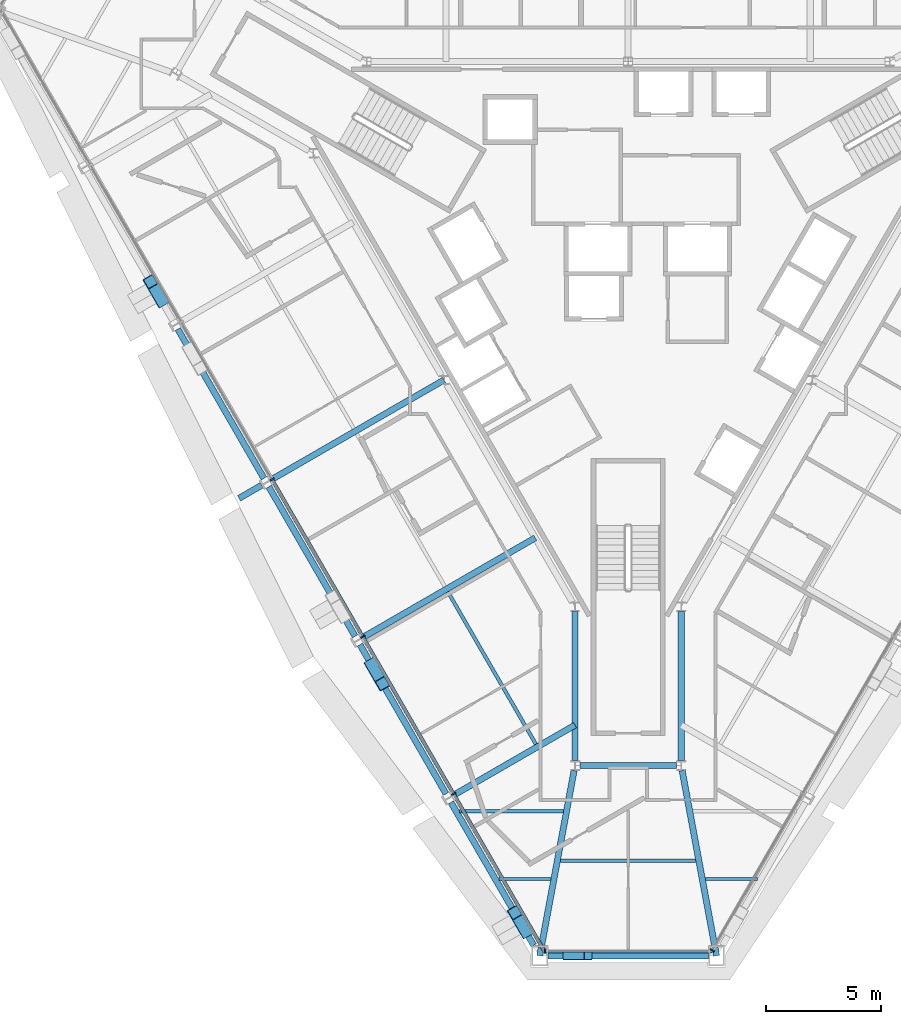
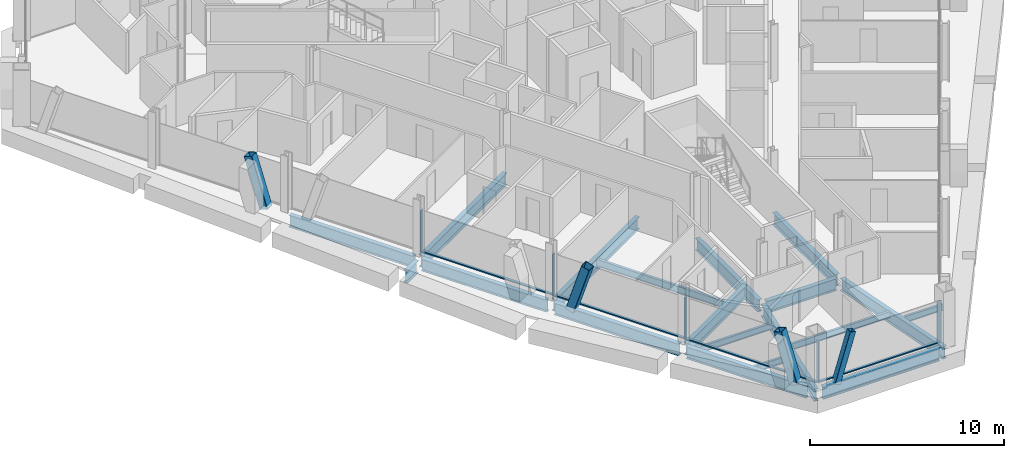
# One storey, part 3 of 17: 19 beams, 13 members, 3 elements without a shape of their own.
"""IFC4 building model written with IfcOpenShell, lengths in metres."""

from ifc_helpers import new_model, si_unit, direction, frame, origin, origin_2d, place, context, subcontext, project, spatial, rectangle, hollow_rectangle, i_section, extrude, material, material_profile, profile_set, type_object, element, aggregate, save


model = new_model("IFC4")

# Units and contexts
model_context = context("Model", 3, precision=1e-05, world=origin(), true_north=direction((0.0, 1.0)))
body_context = subcontext(model_context, "Body", "Model", "MODEL_VIEW")
ifc_project = project(units=[si_unit("LENGTHUNIT", "METRE"), si_unit("AREAUNIT", "SQUARE_METRE"), si_unit("VOLUMEUNIT", "CUBIC_METRE"), si_unit("PLANEANGLEUNIT", "RADIAN"), si_unit("MASSUNIT", "GRAM", prefix="KILO")], contexts=[model_context])

# Site, building, storey
site_placement = place(None, origin())
site = spatial("IfcSite", under=ifc_project, at=site_placement, CompositionType="ELEMENT")
building_placement = place(site_placement, origin())
building = spatial("IfcBuilding", under=site, at=building_placement, Name="Verrane Prism Tower", CompositionType="ELEMENT")
storey_placement = place(building_placement, frame((0.0, 0.0, 96.39990234375)))
storey = spatial("IfcBuildingStorey", under=building, at=storey_placement, Name="L22", CompositionType="ELEMENT", Elevation=96.39990234375)

# Member
ifc_material_1 = material(Name="Steel A500 Grade C", Category="steel")
ifc_material_profile_1 = material_profile(ifc_material_1, hollow_rectangle(XDim=0.355712890625, YDim=0.355712890625, WallThickness=0.0126953125, InnerFilletRadius=0.00634765625, OuterFilletRadius=0.01904296875, at=origin_2d()), Name="HSS14x14x1/2")
ifc_profile_set_1 = profile_set([ifc_material_profile_1], Name="Steel A500 Grade C")
member_type_1 = type_object("IfcMemberType", Name="Chamfer brace HSS14x14x1/2", PredefinedType="BRACE", material=ifc_profile_set_1)
member_1_placement = place(storey_placement, frame((-2.64501953125, -29.5400390625, -0.2451171875), z_axis=(0.290821139623, 0.0, 0.956777437416), x_axis=(0.0, 1.0, 0.0)))
element("IfcMember", 1, at=member_1_placement, inside=storey, type_object=member_type_1, Name="Chamfer brace S0 L22", PredefinedType="BRACE", context=body_context, shape_type="SweptSolid", body=[
    extrude(hollow_rectangle(XDim=0.355712890625, YDim=0.355712890625, WallThickness=0.0126953125, InnerFilletRadius=0.00634765625, OuterFilletRadius=0.01904296875, at=origin_2d()), origin(), (0.0, 0.0, 1.0), 3.138916015625),
])

# Beams
ifc_material_2 = material(Name="Steel A992", Category="steel")
ifc_material_profile_2 = material_profile(ifc_material_2, i_section(OverallWidth=0.2666015625, OverallDepth=0.76708984375, WebThickness=0.014892578125, FlangeThickness=0.023681640625, FilletRadius=0.0166015625, at=origin_2d()), Name="W30x124")
ifc_profile_set_2 = profile_set([ifc_material_profile_2], Name="Steel A992")
beam_type_1 = type_object("IfcBeamType", Name="Chamfer spandrel beam W30x124", PredefinedType="SPANDREL", material=ifc_profile_set_2)
beam_1_placement = place(storey_placement, frame((-3.47998046875, -29.5400390625, -0.54345703125), z_axis=(1.0, 0.0, 0.0), x_axis=(0.0, 1.0, 0.0)))
element("IfcBeam", 2, at=beam_1_placement, inside=storey, type_object=beam_type_1, Name="Chamfer spandrel beam L22", PredefinedType="SPANDREL", context=body_context, shape_type="SweptSolid", body=[
    extrude(i_section(OverallWidth=0.2666015625, OverallDepth=0.76708984375, WebThickness=0.014892578125, FlangeThickness=0.023681640625, FilletRadius=0.0166015625, at=origin_2d()), origin(), (0.0, 0.0, 1.0), 6.9599609375),
])
ifc_material_3 = material(Name="Steel A992", Category="steel")
ifc_material_profile_3 = material_profile(ifc_material_3, i_section(OverallWidth=0.2666015625, OverallDepth=0.7568359375, WebThickness=0.013916015625, FlangeThickness=0.019287109375, FilletRadius=0.0166015625, at=origin_2d()), Name="W30x108")
ifc_profile_set_3 = profile_set([ifc_material_profile_3], Name="Steel A992")
beam_type_2 = type_object("IfcBeamType", Name="Core ring girder W30x108", PredefinedType="BEAM", material=ifc_profile_set_3)
beam_2_placement = place(storey_placement, frame((-2.300048828125, -14.619384765625, -0.62841796875), z_axis=(0.0, -1.0, 0.0), x_axis=(1.0, 0.0, 0.0)))
element("IfcBeam", 3, at=beam_2_placement, inside=storey, type_object=beam_type_2, Name="Core ring girder L22", PredefinedType="BEAM", context=body_context, shape_type="SweptSolid", body=[
    extrude(i_section(OverallWidth=0.2666015625, OverallDepth=0.7568359375, WebThickness=0.013916015625, FlangeThickness=0.019287109375, FilletRadius=0.0166015625, at=origin_2d()), origin(), (0.0, 0.0, 1.0), 6.46337890625),
])
beam_3_placement = place(storey_placement, frame((-2.09423828125, -21.300048828125, -0.62841796875), z_axis=(1.0, 0.0, 0.0), x_axis=(0.0, 1.0, 0.0)))
element("IfcBeam", 4, at=beam_3_placement, inside=storey, type_object=beam_type_2, Name="Core ring girder L22", PredefinedType="BEAM", context=body_context, shape_type="SweptSolid", body=[
    extrude(i_section(OverallWidth=0.2666015625, OverallDepth=0.7568359375, WebThickness=0.013916015625, FlangeThickness=0.019287109375, FilletRadius=0.0166015625, at=origin_2d()), origin(), (0.0, 0.0, 1.0), 4.1884765625),
])
beam_4_placement = place(storey_placement, frame((2.300048828125, -21.082763671875, -0.62841796875), z_axis=(0.0, 1.0, 0.0), x_axis=(-1.0, 0.0, 0.0)))
element("IfcBeam", 5, at=beam_4_placement, inside=storey, type_object=beam_type_2, Name="Core ring girder L22", PredefinedType="BEAM", context=body_context, shape_type="SweptSolid", body=[
    extrude(i_section(OverallWidth=0.2666015625, OverallDepth=0.7568359375, WebThickness=0.013916015625, FlangeThickness=0.019287109375, FilletRadius=0.0166015625, at=origin_2d()), origin(), (0.0, 0.0, 1.0), 6.46337890625),
])
ifc_material_4 = material(Name="Steel A992", Category="steel")
ifc_material_profile_4 = material_profile(ifc_material_4, i_section(OverallWidth=0.2666015625, OverallDepth=0.76708984375, WebThickness=0.014892578125, FlangeThickness=0.023681640625, FilletRadius=0.0166015625, at=origin_2d()), Name="W30x124")
ifc_profile_set_4 = profile_set([ifc_material_profile_4], Name="Steel A992")
beam_type_3 = type_object("IfcBeamType", Name="Corner girder W30x124", PredefinedType="BEAM", material=ifc_profile_set_4)
for number, where, z_axis, x_axis, name in (
    (6, (-3.82958984375, -29.53759765625, -0.603515625), (0.182560783817, 0.983194568848, 0.0), (-0.983194568848, 0.182560783817, 0.0), "Corner girder L22"),
    (7, (3.82958984375, -29.53759765625, -0.603515625), (-0.182560783817, 0.983194568848, 0.0), (-0.983194568848, -0.182560783817, 0.0), "Corner girder L22"),
):
    element("IfcBeam", number, at=place(storey_placement, frame(where, z_axis=z_axis, x_axis=x_axis)), inside=storey, type_object=beam_type_3, Name=name, PredefinedType="BEAM", context=body_context, shape_type="SweptSolid", body=[
        extrude(i_section(OverallWidth=0.2666015625, OverallDepth=0.76708984375, WebThickness=0.014892578125, FlangeThickness=0.023681640625, FilletRadius=0.0166015625, at=origin_2d()), origin(), (0.0, 0.0, 1.0), 8.15771484375),
    ])

# Members
ifc_material_5 = material(Name="Steel A1085 Grade A", Category="steel")
ifc_material_profile_5 = material_profile(ifc_material_5, hollow_rectangle(XDim=0.508056640625, YDim=0.508056640625, WallThickness=0.025390625, InnerFilletRadius=0.0126953125, OuterFilletRadius=0.0380859375, at=origin_2d()), Name="HSS20x20x1")
ifc_profile_set_5 = profile_set([ifc_material_profile_5], Name="Steel A1085 Grade A")
member_type_2 = type_object("IfcMemberType", Name="Facade brace HSS20x20x1", PredefinedType="BRACE", material=ifc_profile_set_5)
for number, where, z_axis, x_axis, name in (
    (8, (-20.218994140625, -1.154052734375, -0.242431640625), (-0.149263603015, 0.258635791628, 0.954373042423), (-0.866112163679, -0.499849697337, 0.0), "Facade brace SW1 L22"),
    (9, (-11.11083984375, -16.935791015625, -0.242431640625), (0.149184879194, -0.258711057377, 0.954364951479), (0.866289199486, 0.499542813835, 0.0), "Facade brace SW4 L22"),
):
    element("IfcMember", number, at=place(storey_placement, frame(where, z_axis=z_axis, x_axis=x_axis)), inside=storey, type_object=member_type_2, Name=name, PredefinedType="BRACE", context=body_context, shape_type="SweptSolid", body=[
        extrude(hollow_rectangle(XDim=0.508056640625, YDim=0.508056640625, WallThickness=0.025390625, InnerFilletRadius=0.0126953125, OuterFilletRadius=0.0380859375, at=origin_2d()), origin(), (0.0, 0.0, 1.0), 3.15185546875),
    ])
member_2_placement = place(storey_placement, frame((-4.440673828125, -28.484130859375, -0.242431640625), z_axis=(-0.149563518732, 0.258696091437, 0.954309743291), x_axis=(-0.865727811525, -0.500515091034, 0.0)))
element("IfcMember", 10, at=member_2_placement, inside=storey, type_object=member_type_2, Name="Facade brace SW5 L22", PredefinedType="BRACE", context=body_context, shape_type="SweptSolid", body=[
    extrude(hollow_rectangle(XDim=0.508056640625, YDim=0.508056640625, WallThickness=0.025390625, InnerFilletRadius=0.0126953125, OuterFilletRadius=0.0380859375, at=origin_2d()), origin(), (0.0, 0.0, 1.0), 3.152099609375),
])

# Beams
ifc_material_6 = material(Name="Steel A992", Category="steel")
ifc_material_profile_6 = material_profile(ifc_material_6, i_section(OverallWidth=0.140380859375, OverallDepth=0.40380859375, WebThickness=0.007080078125, FlangeThickness=0.01123046875, FilletRadius=0.01025390625, at=origin_2d()), Name="W16x31")
ifc_profile_set_6 = profile_set([ifc_material_profile_6], Name="Steel A992")
beam_type_4 = type_object("IfcBeamType", Name="Floor beam W16x31", PredefinedType="BEAM", material=ifc_profile_set_6)
beam_5_placement = place(storey_placement, frame((-5.6015625, -26.2099609375, -0.36181640625), z_axis=(1.0, 0.0, 0.0), x_axis=(0.0, 1.0, 0.0)))
element("IfcBeam", 11, at=beam_5_placement, inside=storey, type_object=beam_type_4, Name="Floor beam L22", PredefinedType="BEAM", context=body_context, shape_type="SweptSolid", body=[
    extrude(i_section(OverallWidth=0.140380859375, OverallDepth=0.40380859375, WebThickness=0.007080078125, FlangeThickness=0.01123046875, FilletRadius=0.01025390625, at=origin_2d()), origin(), (0.0, 0.0, 1.0), 2.254150390625),
])
beam_6_placement = place(storey_placement, frame((-7.296142578125, -23.280029296875, -0.36181640625), z_axis=(1.0, 0.0, 0.0), x_axis=(0.0, 1.0, 0.0)))
element("IfcBeam", 12, at=beam_6_placement, inside=storey, type_object=beam_type_4, Name="Floor beam L22", PredefinedType="BEAM", context=body_context, shape_type="SweptSolid", body=[
    extrude(i_section(OverallWidth=0.140380859375, OverallDepth=0.40380859375, WebThickness=0.007080078125, FlangeThickness=0.01123046875, FilletRadius=0.01025390625, at=origin_2d()), origin(), (0.0, 0.0, 1.0), 4.49267578125),
])
beam_7_placement = place(storey_placement, frame((3.347412109375, -26.2099609375, -0.36181640625), z_axis=(1.0, 0.0, 0.0), x_axis=(0.0, 1.0, 0.0)))
element("IfcBeam", 13, at=beam_7_placement, inside=storey, type_object=beam_type_4, Name="Floor beam L22", PredefinedType="BEAM", context=body_context, shape_type="SweptSolid", body=[
    extrude(i_section(OverallWidth=0.140380859375, OverallDepth=0.40380859375, WebThickness=0.007080078125, FlangeThickness=0.01123046875, FilletRadius=0.01025390625, at=origin_2d()), origin(), (0.0, 0.0, 1.0), 2.254150390625),
])
beam_8_placement = place(storey_placement, frame((-2.92919921875, -25.419921875, -0.36181640625), z_axis=(1.0, 0.0, 0.0), x_axis=(0.0, 1.0, 0.0)))
element("IfcBeam", 14, at=beam_8_placement, inside=storey, type_object=beam_type_4, Name="Floor beam L22", PredefinedType="BEAM", context=body_context, shape_type="SweptSolid", body=[
    extrude(i_section(OverallWidth=0.140380859375, OverallDepth=0.40380859375, WebThickness=0.007080078125, FlangeThickness=0.01123046875, FilletRadius=0.01025390625, at=origin_2d()), origin(), (0.0, 0.0, 1.0), 5.8583984375),
])
ifc_material_7 = material(Name="Steel A992", Category="steel")
ifc_material_profile_7 = material_profile(ifc_material_7, i_section(OverallWidth=0.15234375, OverallDepth=0.449462890625, WebThickness=0.007568359375, FlangeThickness=0.0107421875, FilletRadius=0.01025390625, at=origin_2d()), Name="W18x35")
ifc_profile_set_7 = profile_set([ifc_material_profile_7], Name="Steel A992")
beam_type_5 = type_object("IfcBeamType", Name="Floor beam W18x35", PredefinedType="BEAM", material=ifc_profile_set_7)
beam_9_placement = place(storey_placement, frame((-3.99560546875, -20.37353515625, -0.384765625), z_axis=(-0.499996178778, 0.866027609957, 0.0), x_axis=(-0.866027609957, -0.499996178778, 0.0)))
element("IfcBeam", 15, at=beam_9_placement, inside=storey, type_object=beam_type_5, Name="Floor beam L22", PredefinedType="BEAM", context=body_context, shape_type="SweptSolid", body=[
    extrude(i_section(OverallWidth=0.15234375, OverallDepth=0.449462890625, WebThickness=0.007568359375, FlangeThickness=0.0107421875, FilletRadius=0.01025390625, at=origin_2d()), origin(), (0.0, 0.0, 1.0), 7.61767578125),
])

# Curtain wall, members
ifc_material_8 = material(Name="Aluminium framed insulated glazing", Category="aluminium")
curtain_wall_type = type_object("IfcCurtainWallType", Name="Curtain wall CW-A 8400 module", PredefinedType="NOTDEFINED", material=ifc_material_8)
curtain_wall_1_placement = place(storey_placement, origin())
curtain_wall_1 = element("IfcCurtainWall", 16, at=curtain_wall_1_placement, inside=storey, type_object=curtain_wall_type, Name="Glazed curtain wall south-west face L22", PredefinedType="NOTDEFINED")
ifc_material_9 = material(Name="Aluminium alloy 6063-T6", Category="aluminium")
ifc_material_profile_8 = material_profile(ifc_material_9, rectangle(XDim=0.199951171875, YDim=0.070068359375, at=origin_2d()), Name="Mullion 70x200 aluminium")
ifc_profile_set_8 = profile_set([ifc_material_profile_8], Name="Aluminium alloy 6063-T6")
member_type_3 = type_object("IfcMemberType", Name="Mullion 70x200 aluminium", PredefinedType="MULLION", material=ifc_profile_set_8)
member_3_placement = place(storey_placement, frame((-15.4248046875, -8.905517578125, 0.0), z_axis=(0.0, 0.0, 1.0), x_axis=(0.866025621383, 0.499999623108, 0.0)))
member_3 = element("IfcMember", 17, at=member_3_placement, type_object=member_type_3, Name="CW21.4 mullion 4", PredefinedType="MULLION", context=body_context, shape_type="SweptSolid", body=[
    extrude(rectangle(XDim=0.199951171875, YDim=0.070068359375, at=origin_2d()), origin(), (0.0, 0.0, 1.0), 2.613037109375),
])
member_4_placement = place(storey_placement, frame((-11.4931640625, -15.71533203125, 0.0), z_axis=(0.0, 0.0, 1.0), x_axis=(0.866025621383, 0.499999623108, 0.0)))
member_4 = element("IfcMember", 18, at=member_4_placement, type_object=member_type_3, Name="CW21.4 mullion 5", PredefinedType="MULLION", context=body_context, shape_type="SweptSolid", body=[
    extrude(rectangle(XDim=0.199951171875, YDim=0.070068359375, at=origin_2d()), origin(), (0.0, 0.0, 1.0), 2.613037109375),
])
member_5_placement = place(storey_placement, frame((-7.5615234375, -22.525146484375, 0.0), z_axis=(0.0, 0.0, 1.0), x_axis=(0.866025621383, 0.499999623108, 0.0)))
member_5 = element("IfcMember", 19, at=member_5_placement, type_object=member_type_3, Name="CW21.4 mullion 6", PredefinedType="MULLION", context=body_context, shape_type="SweptSolid", body=[
    extrude(rectangle(XDim=0.199951171875, YDim=0.070068359375, at=origin_2d()), origin(), (0.0, 0.0, 1.0), 2.613037109375),
])

# Curtain wall, member
curtain_wall_2_placement = place(storey_placement, origin())
curtain_wall_2 = element("IfcCurtainWall", 20, at=curtain_wall_2_placement, inside=storey, type_object=curtain_wall_type, Name="Glazed curtain wall south corner L22", PredefinedType="NOTDEFINED")
member_6_placement = place(storey_placement, frame((-3.594970703125, -29.334716796875, 0.0), z_axis=(0.0, 0.0, 1.0), x_axis=(0.0, 1.0, 0.0)))
member_6 = element("IfcMember", 21, at=member_6_placement, type_object=member_type_3, Name="CW21.5 mullion 1", PredefinedType="MULLION", context=body_context, shape_type="SweptSolid", body=[
    extrude(rectangle(XDim=0.199951171875, YDim=0.070068359375, at=origin_2d()), origin(), (0.0, 0.0, 1.0), 2.613037109375),
])

curtain_wall_3_placement = place(storey_placement, origin())
curtain_wall_3 = element("IfcCurtainWall", 22, at=curtain_wall_3_placement, inside=storey, type_object=curtain_wall_type, Name="Glazed curtain wall south-east face L22", PredefinedType="NOTDEFINED")
member_7_placement = place(storey_placement, frame((3.6474609375, -29.304443359375, 0.0), z_axis=(0.0, 0.0, 1.0), x_axis=(-0.866025621383, 0.499999623108, 0.0)))
member_7 = element("IfcMember", 23, at=member_7_placement, type_object=member_type_3, Name="CW21.6 mullion 1", PredefinedType="MULLION", context=body_context, shape_type="SweptSolid", body=[
    extrude(rectangle(XDim=0.199951171875, YDim=0.070068359375, at=origin_2d()), origin(), (0.0, 0.0, 1.0), 2.613037109375),
])
aggregate(curtain_wall_3, [member_7])

# Beams
ifc_material_10 = material(Name="Steel A992", Category="steel")
ifc_material_profile_9 = material_profile(ifc_material_10, i_section(OverallWidth=0.2666015625, OverallDepth=0.76708984375, WebThickness=0.014892578125, FlangeThickness=0.023681640625, FilletRadius=0.0166015625, at=origin_2d()), Name="W30x124")
ifc_profile_set_9 = profile_set([ifc_material_profile_9], Name="Steel A992")
beam_type_6 = type_object("IfcBeamType", Name="Radial girder W30x124", PredefinedType="BEAM", material=ifc_profile_set_9)
beam_10_placement = place(storey_placement, frame((-15.46435546875, -8.92138671875, -0.603515625), z_axis=(0.866014988611, 0.500018039176, 0.0), x_axis=(-0.500018039176, 0.866014988611, 0.0)))
element("IfcBeam", 24, at=beam_10_placement, inside=storey, type_object=beam_type_6, Name="Radial girder L22", PredefinedType="BEAM", context=body_context, shape_type="SweptSolid", body=[
    extrude(i_section(OverallWidth=0.2666015625, OverallDepth=0.76708984375, WebThickness=0.014892578125, FlangeThickness=0.023681640625, FilletRadius=0.0166015625, at=origin_2d()), origin(), (0.0, 0.0, 1.0), 8.651123046875),
])
beam_11_placement = place(storey_placement, frame((-11.514404296875, -15.76123046875, -0.603515625), z_axis=(0.866025318361, 0.500000147958, 0.0), x_axis=(-0.500000147958, 0.866025318361, 0.0)))
element("IfcBeam", 25, at=beam_11_placement, inside=storey, type_object=beam_type_6, Name="Radial girder L22", PredefinedType="BEAM", context=body_context, shape_type="SweptSolid", body=[
    extrude(i_section(OverallWidth=0.2666015625, OverallDepth=0.76708984375, WebThickness=0.014892578125, FlangeThickness=0.023681640625, FilletRadius=0.0166015625, at=origin_2d()), origin(), (0.0, 0.0, 1.0), 8.650390625),
])
beam_12_placement = place(storey_placement, frame((-7.57421875, -22.59130859375, -0.603515625), z_axis=(0.866016687335, 0.50001509703, 0.0), x_axis=(-0.50001509703, 0.866016687335, 0.0)))
element("IfcBeam", 26, at=beam_12_placement, inside=storey, type_object=beam_type_6, Name="Radial girder L22", PredefinedType="BEAM", context=body_context, shape_type="SweptSolid", body=[
    extrude(i_section(OverallWidth=0.2666015625, OverallDepth=0.76708984375, WebThickness=0.014892578125, FlangeThickness=0.023681640625, FilletRadius=0.0166015625, at=origin_2d()), origin(), (0.0, 0.0, 1.0), 6.090087890625),
])
beam_13_placement = place(storey_placement, frame((-15.872314453125, -9.15673828125, -0.603515625), z_axis=(-0.865954713328, -0.500122419478, 0.0), x_axis=(0.500122419478, -0.865954713328, 0.0)))
element("IfcBeam", 27, at=beam_13_placement, inside=storey, type_object=beam_type_6, Name="Cantilever girder L22", PredefinedType="BEAM", context=body_context, shape_type="SweptSolid", body=[
    extrude(i_section(OverallWidth=0.2666015625, OverallDepth=0.76708984375, WebThickness=0.014892578125, FlangeThickness=0.023681640625, FilletRadius=0.0166015625, at=origin_2d()), origin(), (0.0, 0.0, 1.0), 1.127197265625),
])
ifc_material_11 = material(Name="Steel A992", Category="steel")
ifc_material_profile_10 = material_profile(ifc_material_11, i_section(OverallWidth=0.2666015625, OverallDepth=0.7568359375, WebThickness=0.013916015625, FlangeThickness=0.019287109375, FilletRadius=0.0166015625, at=origin_2d()), Name="W30x108")
ifc_profile_set_10 = profile_set([ifc_material_profile_10], Name="Steel A992")
beam_type_7 = type_object("IfcBeamType", Name="Spandrel beam W30x108", PredefinedType="SPANDREL", material=ifc_profile_set_10)
beam_14_placement = place(storey_placement, frame((-19.50390625, -2.393798828125, -0.538330078125), z_axis=(0.499694123976, -0.866201929381, 0.0), x_axis=(0.866201929381, 0.499694123976, 0.0)))
element("IfcBeam", 28, at=beam_14_placement, inside=storey, type_object=beam_type_7, Name="Spandrel beam L22", PredefinedType="SPANDREL", context=body_context, shape_type="SweptSolid", body=[
    extrude(i_section(OverallWidth=0.2666015625, OverallDepth=0.7568359375, WebThickness=0.013916015625, FlangeThickness=0.019287109375, FilletRadius=0.0166015625, at=origin_2d()), origin(), (0.0, 0.0, 1.0), 7.460693359375),
])
beam_15_placement = place(storey_placement, frame((-15.56396484375, -9.2236328125, -0.538330078125), z_axis=(0.500080587159, -0.865978871767, 0.0), x_axis=(0.865978871767, 0.500080587159, 0.0)))
element("IfcBeam", 29, at=beam_15_placement, inside=storey, type_object=beam_type_7, Name="Spandrel beam L22", PredefinedType="SPANDREL", context=body_context, shape_type="SweptSolid", body=[
    extrude(i_section(OverallWidth=0.2666015625, OverallDepth=0.7568359375, WebThickness=0.013916015625, FlangeThickness=0.019287109375, FilletRadius=0.0166015625, at=origin_2d()), origin(), (0.0, 0.0, 1.0), 7.474365234375),
])
beam_16_placement = place(storey_placement, frame((-11.614013671875, -16.063720703125, -0.538330078125), z_axis=(0.499679960224, -0.866210100005, 0.0), x_axis=(0.866210100005, 0.499679960224, 0.0)))
element("IfcBeam", 30, at=beam_16_placement, inside=storey, type_object=beam_type_7, Name="Spandrel beam L22", PredefinedType="SPANDREL", context=body_context, shape_type="SweptSolid", body=[
    extrude(i_section(OverallWidth=0.2666015625, OverallDepth=0.7568359375, WebThickness=0.013916015625, FlangeThickness=0.019287109375, FilletRadius=0.0166015625, at=origin_2d()), origin(), (0.0, 0.0, 1.0), 7.4609375),
])
beam_17_placement = place(storey_placement, frame((-7.673828125, -22.8935546875, -0.538330078125), z_axis=(0.50064633236, -0.865651921903, 0.0), x_axis=(0.865651921903, 0.50064633236, 0.0)))
element("IfcBeam", 31, at=beam_17_placement, inside=storey, type_object=beam_type_7, Name="Spandrel beam L22", PredefinedType="SPANDREL", context=body_context, shape_type="SweptSolid", body=[
    extrude(i_section(OverallWidth=0.2666015625, OverallDepth=0.7568359375, WebThickness=0.013916015625, FlangeThickness=0.019287109375, FilletRadius=0.0166015625, at=origin_2d()), origin(), (0.0, 0.0, 1.0), 7.158203125),
])

# Member
ifc_material_12 = material(Name="Aluminium alloy 6063-T6", Category="aluminium")
ifc_material_profile_11 = material_profile(ifc_material_12, rectangle(XDim=0.14990234375, YDim=0.070068359375, at=origin_2d()), Name="Transom 70x150 aluminium")
ifc_profile_set_11 = profile_set([ifc_material_profile_11], Name="Aluminium alloy 6063-T6")
member_type_4 = type_object("IfcMemberType", Name="Transom 70x150 aluminium", PredefinedType="USERDEFINED", material=ifc_profile_set_11)
member_8_placement = place(storey_placement, frame((-15.4072265625, -8.935791015625, 0.03515625), z_axis=(0.499980071345, -0.866036909293, 0.0), x_axis=(0.866036909293, 0.499980071345, 0.0)))
member_8 = element("IfcMember", 32, at=member_8_placement, type_object=member_type_4, Name="CW21.4 transom 4", ObjectType="TRANSOM", PredefinedType="USERDEFINED", context=body_context, shape_type="SweptSolid", body=[
    extrude(rectangle(XDim=0.14990234375, YDim=0.070068359375, at=origin_2d()), origin(), (0.0, 0.0, 1.0), 7.793212890625),
])

member_9_placement = place(storey_placement, frame((-11.4755859375, -15.74560546875, 0.03515625), z_axis=(0.499993636311, -0.866029077831, 0.0), x_axis=(0.866029077831, 0.499993636311, 0.0)))
member_9 = element("IfcMember", 33, at=member_9_placement, type_object=member_type_4, Name="CW21.4 transom 5", ObjectType="TRANSOM", PredefinedType="USERDEFINED", context=body_context, shape_type="SweptSolid", body=[
    extrude(rectangle(XDim=0.14990234375, YDim=0.070068359375, at=origin_2d()), origin(), (0.0, 0.0, 1.0), 7.79296875),
])

member_10_placement = place(storey_placement, frame((-7.5439453125, -22.555419921875, 0.03515625), z_axis=(0.500003221507, -0.866023543838, 0.0), x_axis=(0.866023543838, 0.500003221507, 0.0)))
member_10 = element("IfcMember", 34, at=member_10_placement, type_object=member_type_4, Name="CW21.4 transom 6", ObjectType="TRANSOM", PredefinedType="USERDEFINED", context=body_context, shape_type="SweptSolid", body=[
    extrude(rectangle(XDim=0.14990234375, YDim=0.070068359375, at=origin_2d()), origin(), (0.0, 0.0, 1.0), 7.828125),
])

aggregate(curtain_wall_1, [member_3, member_4, member_5, member_8, member_9, member_10])

member_11_placement = place(storey_placement, frame((-3.559814453125, -29.334716796875, 0.03515625), z_axis=(1.0, 0.0, 0.0), x_axis=(0.0, 1.0, 0.0)))
member_11 = element("IfcMember", 35, at=member_11_placement, type_object=member_type_4, Name="CW21.5 transom 1", ObjectType="TRANSOM", PredefinedType="USERDEFINED", context=body_context, shape_type="SweptSolid", body=[
    extrude(rectangle(XDim=0.14990234375, YDim=0.070068359375, at=origin_2d()), origin(), (0.0, 0.0, 1.0), 7.189697265625),
])

aggregate(curtain_wall_2, [member_6, member_11])

save(model, "model.ifc")
